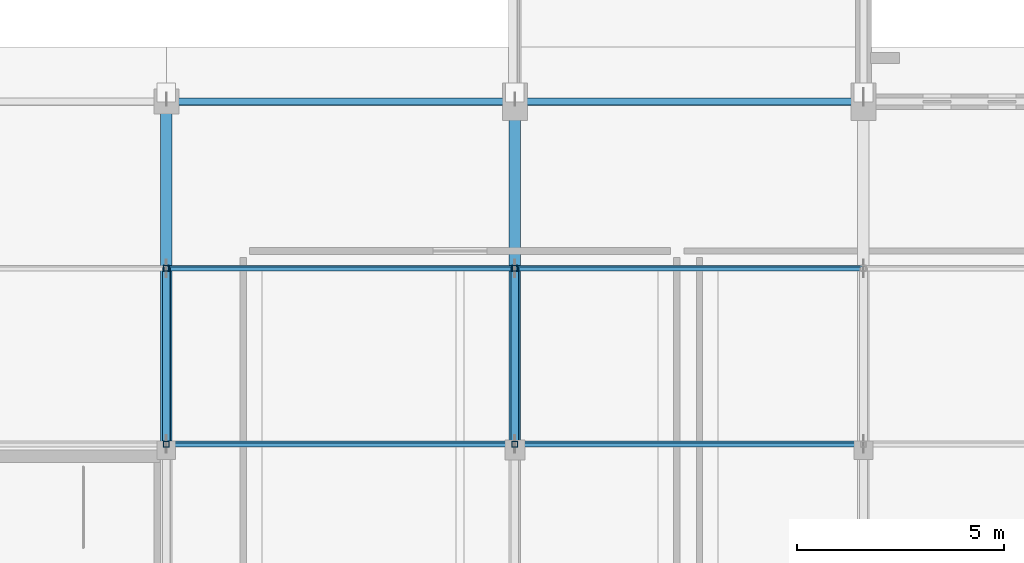
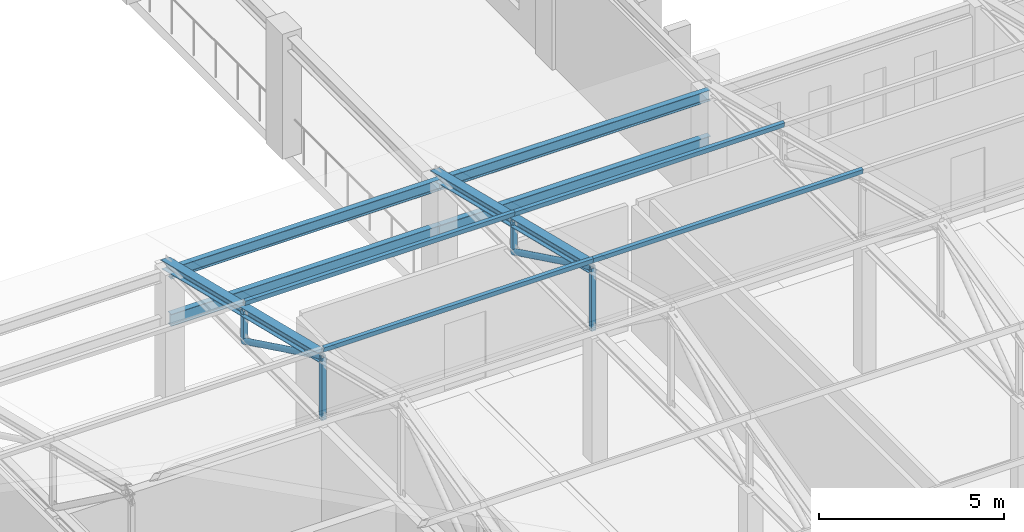
# One storey, part 25 of 192: 14 members, 4 beams.
"""IFC4 building model written with IfcOpenShell, lengths in metres."""

from ifc_helpers import new_model, si_unit, direction, frame, origin, origin_2d, place, context, subcontext, project, spatial, hollow_rectangle, hollow_circle, i_section, extrude, material, material_profile, profile_set, type_object, element, save


model = new_model("IFC4")

# Units and contexts
model_context = context("Model", 3, precision=1e-05, world=origin(), true_north=direction((0.0, 1.0)))
body_context = subcontext(model_context, "Body", "Model", "MODEL_VIEW")
ifc_project = project(units=[si_unit("LENGTHUNIT", "METRE"), si_unit("AREAUNIT", "SQUARE_METRE"), si_unit("VOLUMEUNIT", "CUBIC_METRE"), si_unit("PLANEANGLEUNIT", "RADIAN"), si_unit("MASSUNIT", "GRAM", prefix="KILO")], contexts=[model_context])

# Site, building, storey
site_placement = place(None, origin())
site = spatial("IfcSite", under=ifc_project, at=site_placement, CompositionType="ELEMENT")
building_placement = place(site_placement, origin())
building = spatial("IfcBuilding", under=site, at=building_placement, Name="Kveldsbrygga Polytechnic", CompositionType="ELEMENT")
storey_placement = place(building_placement, frame((0.0, 0.0, 5.43994140625)))
storey = spatial("IfcBuildingStorey", under=building, at=storey_placement, Name="L01", CompositionType="ELEMENT", Elevation=5.43994140625)

# Beams
ifc_material = material(Name="Steel S355", Category="steel")
ifc_material_profile_1 = material_profile(ifc_material, i_section(OverallWidth=0.169921875, OverallDepth=0.360107421875, WebThickness=0.008056640625, FlangeThickness=0.0126953125, FilletRadius=0.01806640625, at=origin_2d()), Name="IPE 360")
ifc_profile_set_1 = profile_set([ifc_material_profile_1], Name="Steel S355")
beam_type_1 = type_object("IfcBeamType", Name="BM-STL-IPE360", PredefinedType="BEAM", material=ifc_profile_set_1)
beam_1_placement = place(storey_placement, frame((16.800048828125, 25.199951171875, 3.93994140625), z_axis=(1.0, 0.0, 0.0), x_axis=(0.0, 1.0, 0.0)))
element("IfcBeam", 1, at=beam_1_placement, inside=storey, type_object=beam_type_1, Name="Pavilion Eaves Beam BMX-V5S-EAV-02", PredefinedType="BEAM", context=body_context, shape_type="SweptSolid", body=[
    extrude(i_section(OverallWidth=0.169921875, OverallDepth=0.360107421875, WebThickness=0.008056640625, FlangeThickness=0.0126953125, FilletRadius=0.01806640625, at=origin_2d()), origin(), (0.0, 0.0, 1.0), 8.39990234375),
])
beam_2_placement = place(storey_placement, frame((25.199951171875, 25.199951171875, 3.93994140625), z_axis=(1.0, 0.0, 0.0), x_axis=(0.0, 1.0, 0.0)))
element("IfcBeam", 2, at=beam_2_placement, inside=storey, type_object=beam_type_1, Name="Pavilion Eaves Beam BMX-V5S-EAV-03", PredefinedType="BEAM", context=body_context, shape_type="SweptSolid", body=[
    extrude(i_section(OverallWidth=0.169921875, OverallDepth=0.360107421875, WebThickness=0.008056640625, FlangeThickness=0.0126953125, FilletRadius=0.01806640625, at=origin_2d()), origin(), (0.0, 0.0, 1.0), 8.400146484375),
])
ifc_material_profile_2 = material_profile(ifc_material, i_section(OverallWidth=0.179931640625, OverallDepth=0.39990234375, WebThickness=0.008544921875, FlangeThickness=0.013427734375, FilletRadius=0.02099609375, at=origin_2d()), Name="IPE 400")
ifc_profile_set_2 = profile_set([ifc_material_profile_2], Name="Steel S355")
beam_type_2 = type_object("IfcBeamType", Name="BM-STL-IPE400", PredefinedType="BEAM", material=ifc_profile_set_2)
beam_3_placement = place(storey_placement, frame((16.800048828125, 25.199951171875, 2.41015625), z_axis=(1.0, 0.0, 0.0), x_axis=(0.0, 1.0, 0.0)))
element("IfcBeam", 3, at=beam_3_placement, inside=storey, type_object=beam_type_2, Name="Workshop Girt Beam BMX-V1GRT-L01-S-02", PredefinedType="BEAM", context=body_context, shape_type="SweptSolid", body=[
    extrude(i_section(OverallWidth=0.179931640625, OverallDepth=0.39990234375, WebThickness=0.008544921875, FlangeThickness=0.013427734375, FilletRadius=0.02099609375, at=origin_2d()), origin(), (0.0, 0.0, 1.0), 8.39990234375),
])
beam_4_placement = place(storey_placement, frame((25.199951171875, 25.199951171875, 2.41015625), z_axis=(1.0, 0.0, 0.0), x_axis=(0.0, 1.0, 0.0)))
element("IfcBeam", 4, at=beam_4_placement, inside=storey, type_object=beam_type_2, Name="Workshop Girt Beam BMX-V1GRT-L01-S-03", PredefinedType="BEAM", context=body_context, shape_type="SweptSolid", body=[
    extrude(i_section(OverallWidth=0.179931640625, OverallDepth=0.39990234375, WebThickness=0.008544921875, FlangeThickness=0.013427734375, FilletRadius=0.02099609375, at=origin_2d()), origin(), (0.0, 0.0, 1.0), 8.400146484375),
])

# Members
ifc_material_profile_3 = material_profile(ifc_material, hollow_rectangle(XDim=0.10009765625, YDim=0.179931640625, WallThickness=0.008056640625, at=origin_2d()), Name="RHS 180x100x8.0")
ifc_profile_set_3 = profile_set([ifc_material_profile_3], Name="Steel S355")
member_type_1 = type_object("IfcMemberType", Name="PRL-RHS180", PredefinedType="PURLIN", material=ifc_profile_set_3)
for number, where, z_axis, x_axis, name in (
    (5, (16.800048828125, 16.94677734375, 6.423583984375), (1.0, 0.0, 0.0), (0.0, 0.971520177509, 0.236956841415), "Roof Purlin V5S-PRL-3-4"),
    (6, (16.800048828125, 21.183349609375, 5.39013671875), (1.0, 0.0, 0.0), (0.0, 0.971520177509, 0.236956841415), "Roof Purlin V5S-PRL-3-5"),
):
    element("IfcMember", number, at=place(storey_placement, frame(where, z_axis=z_axis, x_axis=x_axis)), inside=storey, type_object=member_type_1, Name=name, PredefinedType="PURLIN", context=body_context, shape_type="SweptSolid", body=[
        extrude(hollow_rectangle(XDim=0.10009765625, YDim=0.179931640625, WallThickness=0.008056640625, at=origin_2d()), origin(), (0.0, 0.0, 1.0), 8.39990234375),
    ])
for number, where, z_axis, x_axis, name in (
    (7, (25.199951171875, 16.94677734375, 6.423583984375), (1.0, 0.0, 0.0), (0.0, 0.971520177509, 0.236956841415), "Roof Purlin V5S-PRL-4-4"),
    (8, (25.199951171875, 21.183349609375, 5.39013671875), (1.0, 0.0, 0.0), (0.0, 0.971520177509, 0.236956841415), "Roof Purlin V5S-PRL-4-5"),
):
    element("IfcMember", number, at=place(storey_placement, frame(where, z_axis=z_axis, x_axis=x_axis)), inside=storey, type_object=member_type_1, Name=name, PredefinedType="PURLIN", context=body_context, shape_type="SweptSolid", body=[
        extrude(hollow_rectangle(XDim=0.10009765625, YDim=0.179931640625, WallThickness=0.008056640625, at=origin_2d()), origin(), (0.0, 0.0, 1.0), 8.400146484375),
    ])
ifc_material_profile_4 = material_profile(ifc_material, hollow_circle(Radius=0.096923828125, WallThickness=0.010009765625, at=origin_2d()), Name="CHS 193.7x10.0")
ifc_profile_set_4 = profile_set([ifc_material_profile_4], Name="Steel S355")
member_type_2 = type_object("IfcMemberType", Name="TR-DIAG-CHS194", PredefinedType="BRACE", material=ifc_profile_set_4)
for number, where, z_axis, x_axis, name in (
    (9, (16.800048828125, 16.94677734375, 6.186767578125), (0.0, 0.898765956772, -0.438428734171), (-1.0, 0.0, 0.0), "Truss Diagonal V5S-T03-DG-5"),
    (10, (25.199951171875, 16.94677734375, 6.186767578125), (0.0, 0.898765956772, -0.438428734171), (-1.0, 0.0, 0.0), "Truss Diagonal V5S-T04-DG-5"),
):
    element("IfcMember", number, at=place(storey_placement, frame(where, z_axis=z_axis, x_axis=x_axis)), inside=storey, type_object=member_type_2, Name=name, PredefinedType="BRACE", context=body_context, shape_type="SweptSolid", body=[
        extrude(hollow_circle(Radius=0.096923828125, WallThickness=0.010009765625, at=origin_2d()), origin(), (0.0, 0.0, 1.0), 4.7138671875),
    ])
ifc_material_profile_5 = material_profile(ifc_material, hollow_rectangle(XDim=0.139892578125, YDim=0.139892578125, WallThickness=0.008056640625, at=origin_2d()), Name="SHS 140x140x8.0")
ifc_profile_set_5 = profile_set([ifc_material_profile_5], Name="Steel S355")
member_type_3 = type_object("IfcMemberType", Name="TR-POST-SHS140", PredefinedType="STRUT", material=ifc_profile_set_5)
member_1_placement = place(storey_placement, frame((16.800048828125, 16.94677734375, 4.1201171875), z_axis=(0.0, 0.0, 1.0), x_axis=(1.0, 0.0, 0.0)))
element("IfcMember", 11, at=member_1_placement, inside=storey, type_object=member_type_3, Name="Truss Vertical V5S-T03-VT-4", PredefinedType="STRUT", context=body_context, shape_type="SweptSolid", body=[
    extrude(hollow_rectangle(XDim=0.139892578125, YDim=0.139892578125, WallThickness=0.008056640625, at=origin_2d()), origin(), (0.0, 0.0, 1.0), 2.066650390625),
])
member_2_placement = place(storey_placement, frame((16.800048828125, 21.183349609375, 4.1201171875), z_axis=(0.0, 0.0, 1.0), x_axis=(1.0, 0.0, 0.0)))
element("IfcMember", 12, at=member_2_placement, inside=storey, type_object=member_type_3, Name="Truss Vertical V5S-T03-VT-5", PredefinedType="STRUT", context=body_context, shape_type="SweptSolid", body=[
    extrude(hollow_rectangle(XDim=0.139892578125, YDim=0.139892578125, WallThickness=0.008056640625, at=origin_2d()), origin(), (0.0, 0.0, 1.0), 1.033203125),
])
member_3_placement = place(storey_placement, frame((25.199951171875, 16.94677734375, 4.1201171875), z_axis=(0.0, 0.0, 1.0), x_axis=(1.0, 0.0, 0.0)))
element("IfcMember", 13, at=member_3_placement, inside=storey, type_object=member_type_3, Name="Truss Vertical V5S-T04-VT-4", PredefinedType="STRUT", context=body_context, shape_type="SweptSolid", body=[
    extrude(hollow_rectangle(XDim=0.139892578125, YDim=0.139892578125, WallThickness=0.008056640625, at=origin_2d()), origin(), (0.0, 0.0, 1.0), 2.066650390625),
])
member_4_placement = place(storey_placement, frame((25.199951171875, 21.183349609375, 4.1201171875), z_axis=(0.0, 0.0, 1.0), x_axis=(1.0, 0.0, 0.0)))
element("IfcMember", 14, at=member_4_placement, inside=storey, type_object=member_type_3, Name="Truss Vertical V5S-T04-VT-5", PredefinedType="STRUT", context=body_context, shape_type="SweptSolid", body=[
    extrude(hollow_rectangle(XDim=0.139892578125, YDim=0.139892578125, WallThickness=0.008056640625, at=origin_2d()), origin(), (0.0, 0.0, 1.0), 1.033203125),
])
ifc_material_profile_6 = material_profile(ifc_material, i_section(OverallWidth=0.280029296875, OverallDepth=0.280029296875, WebThickness=0.010498046875, FlangeThickness=0.01806640625, FilletRadius=0.02392578125, at=origin_2d()), Name="HEB 280")
ifc_profile_set_6 = profile_set([ifc_material_profile_6], Name="Steel S355")
member_type_4 = type_object("IfcMemberType", Name="TR-TOP-HEB280", PredefinedType="CHORD", material=ifc_profile_set_6)
for number, where, z_axis, x_axis, name in (
    (15, (16.800048828125, 16.94677734375, 6.186767578125), (0.0, 0.971513108336, -0.236985823061), (-1.0, 0.0, 0.0), "Truss Top Chord V5S-T03-TC-5"),
    (16, (16.800048828125, 21.183349609375, 5.1533203125), (0.0, 0.971525996838, -0.236932980961), (-1.0, 0.0, 0.0), "Truss Top Chord V5S-T03-TC-6"),
    (17, (25.199951171875, 16.94677734375, 6.186767578125), (0.0, 0.971513108336, -0.236985823061), (-1.0, 0.0, 0.0), "Truss Top Chord V5S-T04-TC-5"),
    (18, (25.199951171875, 21.183349609375, 5.1533203125), (0.0, 0.971525996838, -0.236932980961), (-1.0, 0.0, 0.0), "Truss Top Chord V5S-T04-TC-6"),
):
    element("IfcMember", number, at=place(storey_placement, frame(where, z_axis=z_axis, x_axis=x_axis)), inside=storey, type_object=member_type_4, Name=name, PredefinedType="CHORD", context=body_context, shape_type="SweptSolid", body=[
        extrude(i_section(OverallWidth=0.280029296875, OverallDepth=0.280029296875, WebThickness=0.010498046875, FlangeThickness=0.01806640625, FilletRadius=0.02392578125, at=origin_2d()), origin(), (0.0, 0.0, 1.0), 4.36083984375),
    ])

save(model, "model.ifc")
